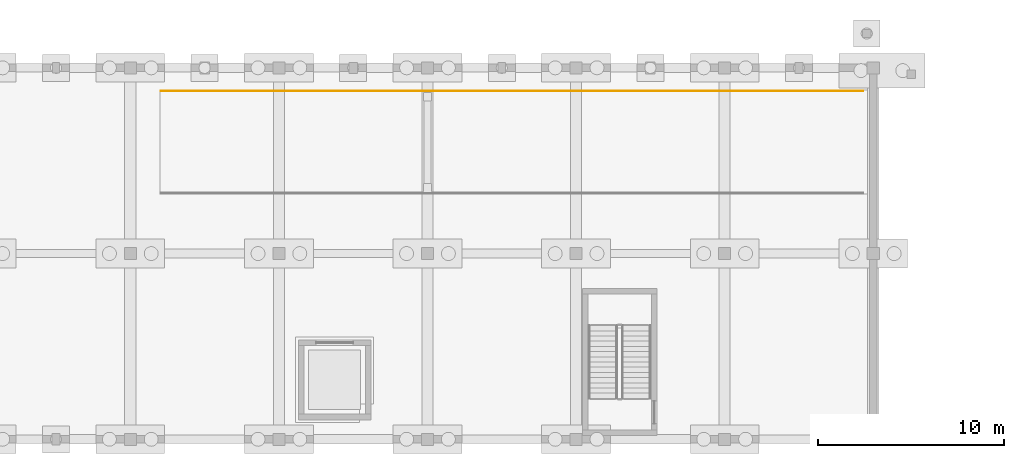
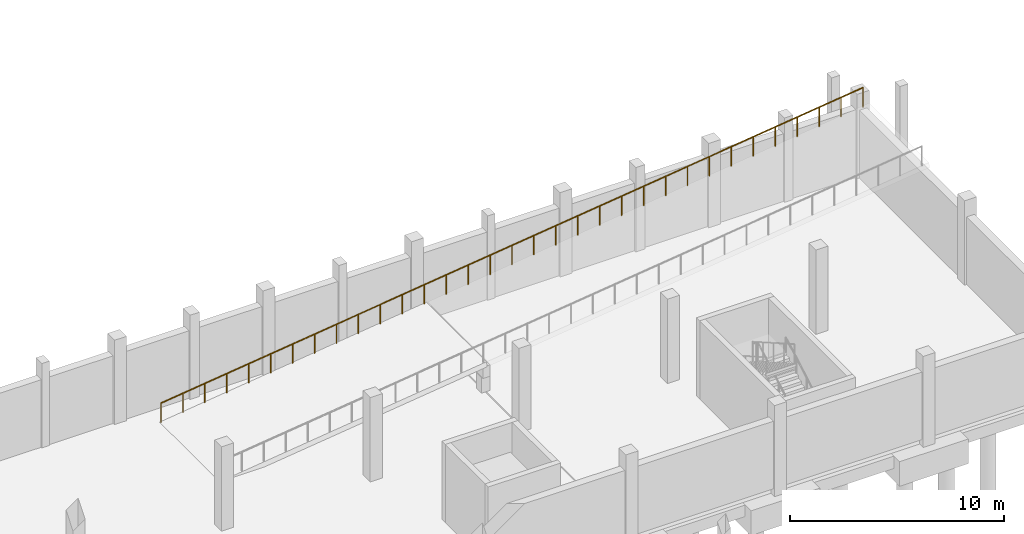
# One storey, part 46 of 52: 1 railing.
"""IFC4 building model written with IfcOpenShell, lengths in metres."""

from ifc_helpers import new_model, si_unit, direction, frame, origin, origin_2d, place, context, subcontext, project, spatial, circle, extrude, material, type_object, element, save


model = new_model("IFC4")

# Units and contexts
model_context = context("Model", 3, precision=1e-05, world=origin(), true_north=direction((0.0, 1.0)))
body_context = subcontext(model_context, "Body", "Model", "MODEL_VIEW")
ifc_project = project(units=[si_unit("LENGTHUNIT", "METRE"), si_unit("AREAUNIT", "SQUARE_METRE"), si_unit("VOLUMEUNIT", "CUBIC_METRE"), si_unit("PLANEANGLEUNIT", "RADIAN"), si_unit("MASSUNIT", "GRAM", prefix="KILO")], contexts=[model_context])

# Site, building, storey
site_placement = place(None, origin())
site = spatial("IfcSite", under=ifc_project, at=site_placement, CompositionType="ELEMENT")
building_placement = place(site_placement, origin())
building = spatial("IfcBuilding", under=site, at=building_placement, Name="Luwemba Playhouse", CompositionType="ELEMENT")
storey_placement = place(building_placement, frame((0.0, 0.0, -4.800048828125)))
storey = spatial("IfcBuildingStorey", under=building, at=storey_placement, Name="B1", CompositionType="ELEMENT", Elevation=-4.800048828125)

# Railing
ifc_material = material(Name="Painted wrought-iron balustrade", Category="steel")
railing_type = type_object("IfcRailingType", Name="RLG-RMP-BAL", PredefinedType="BALUSTRADE", material=ifc_material)
railing_placement = place(storey_placement, frame((37.64990234375, 113.75, 0.0)))
element("IfcRailing", 1, at=railing_placement, inside=storey, type_object=railing_type, Name="Car park ramp R1 north guard", PredefinedType="BALUSTRADE", context=body_context, shape_type="SweptSolid", body=[
    extrude(circle(Radius=0.02392578125, at=origin_2d()), frame((0.0, 0.0, 1.09619140625), z_axis=(0.992261797188, 0.0, 0.12416330312), x_axis=(0.0, 1.0, 0.0)), (0.0, 0.0, 1.0), 38.0947265625),
    extrude(circle(Radius=0.02099609375, at=origin_2d()), origin(), (0.0, 0.0, 1.0), 1.072021484375),
    extrude(circle(Radius=0.02099609375, at=origin_2d()), frame((1.18115234375, 0.0, 0.147705078125)), (0.0, 0.0, 1.0), 1.072021484375),
    extrude(circle(Radius=0.02099609375, at=origin_2d()), frame((2.362548828125, 0.0, 0.295654296875)), (0.0, 0.0, 1.0), 1.072021484375),
    extrude(circle(Radius=0.02099609375, at=origin_2d()), frame((3.543701171875, 0.0, 0.443359375)), (0.0, 0.0, 1.0), 1.072021484375),
    extrude(circle(Radius=0.02099609375, at=origin_2d()), frame((4.72509765625, 0.0, 0.59130859375)), (0.0, 0.0, 1.0), 1.072021484375),
    extrude(circle(Radius=0.02099609375, at=origin_2d()), frame((5.90625, 0.0, 0.739013671875)), (0.0, 0.0, 1.0), 1.072021484375),
    extrude(circle(Radius=0.02099609375, at=origin_2d()), frame((7.08740234375, 0.0, 0.886962890625)), (0.0, 0.0, 1.0), 1.072021484375),
    extrude(circle(Radius=0.02099609375, at=origin_2d()), frame((8.268798828125, 0.0, 1.03466796875)), (0.0, 0.0, 1.0), 1.072021484375),
    extrude(circle(Radius=0.02099609375, at=origin_2d()), frame((9.449951171875, 0.0, 1.1826171875)), (0.0, 0.0, 1.0), 1.072021484375),
    extrude(circle(Radius=0.02099609375, at=origin_2d()), frame((10.63134765625, 0.0, 1.330322265625)), (0.0, 0.0, 1.0), 1.072021484375),
    extrude(circle(Radius=0.02099609375, at=origin_2d()), frame((11.8125, 0.0, 1.47802734375)), (0.0, 0.0, 1.0), 1.072021484375),
    extrude(circle(Radius=0.02099609375, at=origin_2d()), frame((12.99365234375, 0.0, 1.6259765625)), (0.0, 0.0, 1.0), 1.072021484375),
    extrude(circle(Radius=0.02099609375, at=origin_2d()), frame((14.175048828125, 0.0, 1.773681640625)), (0.0, 0.0, 1.0), 1.072021484375),
    extrude(circle(Radius=0.02099609375, at=origin_2d()), frame((15.356201171875, 0.0, 1.921630859375)), (0.0, 0.0, 1.0), 1.072021484375),
    extrude(circle(Radius=0.02099609375, at=origin_2d()), frame((16.53759765625, 0.0, 2.0693359375)), (0.0, 0.0, 1.0), 1.072021484375),
    extrude(circle(Radius=0.02099609375, at=origin_2d()), frame((17.71875, 0.0, 2.21728515625)), (0.0, 0.0, 1.0), 1.072021484375),
    extrude(circle(Radius=0.02099609375, at=origin_2d()), frame((18.89990234375, 0.0, 2.364990234375)), (0.0, 0.0, 1.0), 1.072021484375),
    extrude(circle(Radius=0.02099609375, at=origin_2d()), frame((20.081298828125, 0.0, 2.5126953125)), (0.0, 0.0, 1.0), 1.072021484375),
    extrude(circle(Radius=0.02099609375, at=origin_2d()), frame((21.262451171875, 0.0, 2.66064453125)), (0.0, 0.0, 1.0), 1.072021484375),
    extrude(circle(Radius=0.02099609375, at=origin_2d()), frame((22.44384765625, 0.0, 2.808349609375)), (0.0, 0.0, 1.0), 1.072021484375),
    extrude(circle(Radius=0.02099609375, at=origin_2d()), frame((23.625, 0.0, 2.956298828125)), (0.0, 0.0, 1.0), 1.072021484375),
    extrude(circle(Radius=0.02099609375, at=origin_2d()), frame((24.806396484375, 0.0, 3.10400390625)), (0.0, 0.0, 1.0), 1.072021484375),
    extrude(circle(Radius=0.02099609375, at=origin_2d()), frame((25.987548828125, 0.0, 3.251953125)), (0.0, 0.0, 1.0), 1.072021484375),
    extrude(circle(Radius=0.02099609375, at=origin_2d()), frame((27.168701171875, 0.0, 3.399658203125)), (0.0, 0.0, 1.0), 1.072021484375),
    extrude(circle(Radius=0.02099609375, at=origin_2d()), frame((28.35009765625, 0.0, 3.54736328125)), (0.0, 0.0, 1.0), 1.072021484375),
    extrude(circle(Radius=0.02099609375, at=origin_2d()), frame((29.53125, 0.0, 3.6953125)), (0.0, 0.0, 1.0), 1.072021484375),
    extrude(circle(Radius=0.02099609375, at=origin_2d()), frame((30.712646484375, 0.0, 3.843017578125)), (0.0, 0.0, 1.0), 1.072021484375),
    extrude(circle(Radius=0.02099609375, at=origin_2d()), frame((31.893798828125, 0.0, 3.990966796875)), (0.0, 0.0, 1.0), 1.072021484375),
    extrude(circle(Radius=0.02099609375, at=origin_2d()), frame((33.074951171875, 0.0, 4.138671875)), (0.0, 0.0, 1.0), 1.072021484375),
    extrude(circle(Radius=0.02099609375, at=origin_2d()), frame((34.25634765625, 0.0, 4.28662109375)), (0.0, 0.0, 1.0), 1.072021484375),
    extrude(circle(Radius=0.02099609375, at=origin_2d()), frame((35.4375, 0.0, 4.434326171875)), (0.0, 0.0, 1.0), 1.072021484375),
    extrude(circle(Radius=0.02099609375, at=origin_2d()), frame((36.618896484375, 0.0, 4.582275390625)), (0.0, 0.0, 1.0), 1.072021484375),
    extrude(circle(Radius=0.02099609375, at=origin_2d()), frame((37.800048828125, 0.0, 4.72998046875)), (0.0, 0.0, 1.0), 1.072021484375),
])

save(model, "model.ifc")
